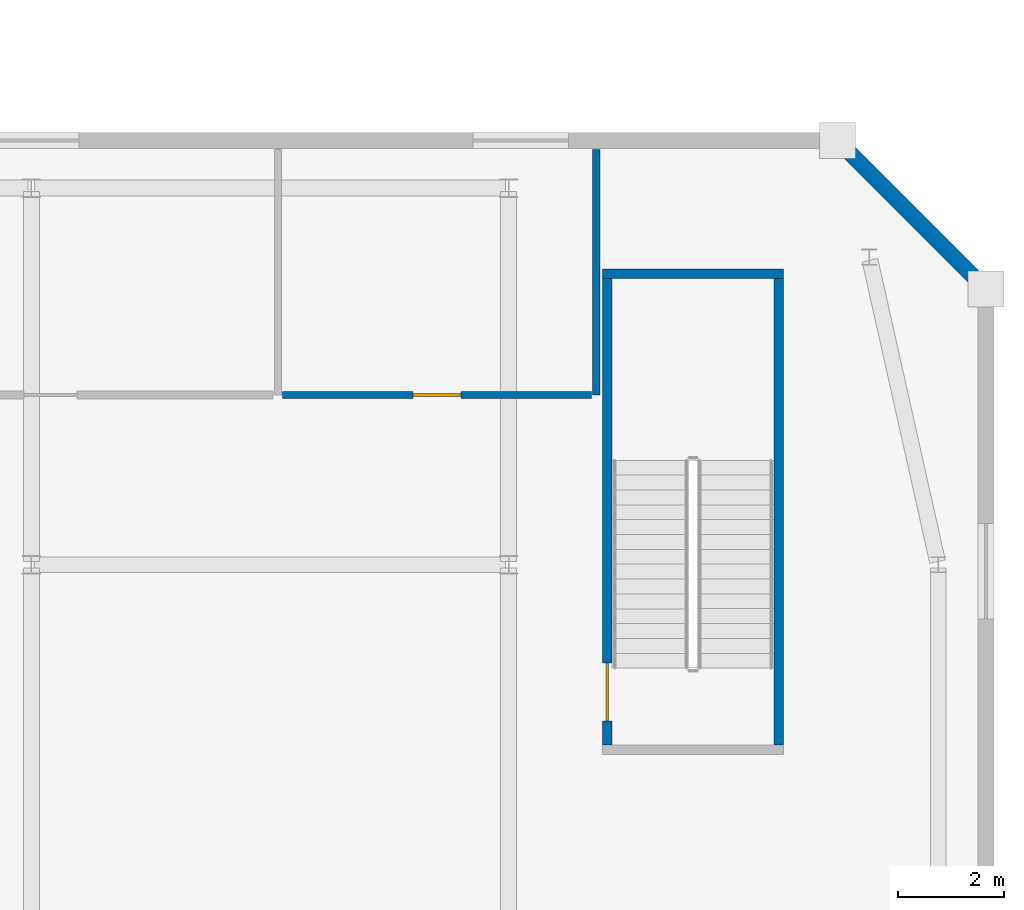
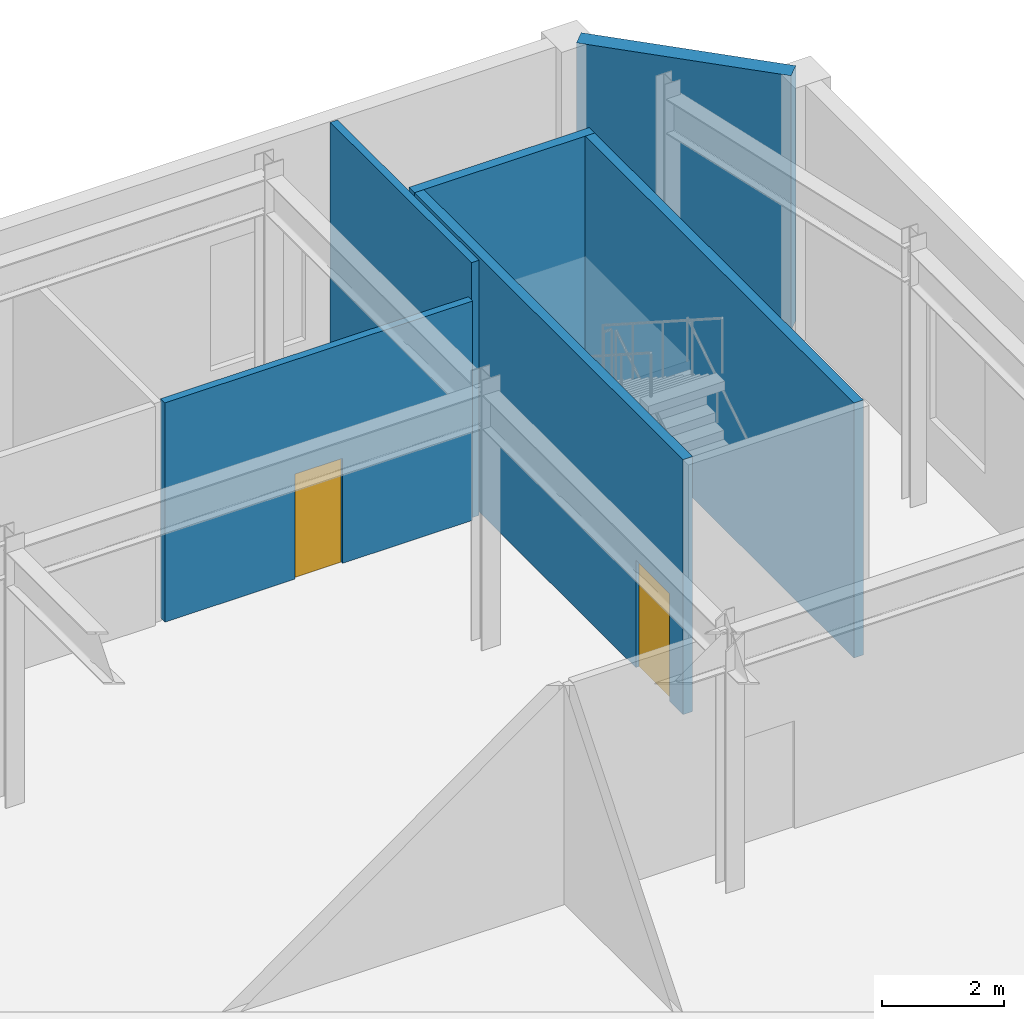
# One storey, part 43 of 52: 6 walls, 2 doors, 2 openings.
"""IFC4 building model written with IfcOpenShell, lengths in metres."""

from ifc_helpers import new_model, si_unit, direction, frame, frame_2d, origin, place, context, subcontext, project, spatial, rectangle, extrude, material, layer, layer_set, type_object, element, fill, save


model = new_model("IFC4")

# Units and contexts
model_context = context("Model", 3, precision=1e-05, world=origin(), true_north=direction((0.0, 1.0)))
body_context = subcontext(model_context, "Body", "Model", "MODEL_VIEW")
ifc_project = project(units=[si_unit("LENGTHUNIT", "METRE"), si_unit("AREAUNIT", "SQUARE_METRE"), si_unit("VOLUMEUNIT", "CUBIC_METRE"), si_unit("PLANEANGLEUNIT", "RADIAN"), si_unit("MASSUNIT", "GRAM", prefix="KILO")], contexts=[model_context])

# Site, building, storey
site_placement = place(None, origin())
site = spatial("IfcSite", under=ifc_project, at=site_placement, CompositionType="ELEMENT")
building_placement = place(site_placement, origin())
building = spatial("IfcBuilding", under=site, at=building_placement, Name="Saevonmaru Cultural Tower", CompositionType="ELEMENT")
storey_placement = place(building_placement, frame((0.0, 0.0, 16.800048828125)))
storey = spatial("IfcBuildingStorey", under=building, at=storey_placement, Name="L03", CompositionType="ELEMENT", Elevation=16.800048828125)

# Walls
ifc_material_1 = material(Name="Warm Limestone Precast Concrete C40/50", Category="masonry")
ifc_layer_1 = layer(ifc_material_1, 0.300048828125, Name="Warm Limestone Precast Concrete C40/50")
ifc_layer_set_1 = layer_set([ifc_layer_1], Name="Warm Limestone Precast Concrete C40/50")
wall_type_1 = type_object("IfcWallType", Name="WL-EXT-LIB-300", PredefinedType="STANDARD", material=ifc_layer_set_1)
wall_1_placement = place(storey_placement, frame((108.0869140625, 45.31298828125, 0.0), z_axis=(0.0, 0.0, 1.0), x_axis=(-0.707073244381, 0.707140316402, 0.0)))
element("IfcWall", 1, at=wall_1_placement, inside=storey, type_object=wall_type_1, Name="L03 Central Library Fluted Stone Wall E5", PredefinedType="STANDARD", context=body_context, shape_type="SweptSolid", body=[
    extrude(rectangle(XDim=3.639892578125, YDim=0.300048828125, at=frame_2d((1.81982421875, 0.0))), origin(), (0.0, 0.0, 1.0), 5.099853515625),
])
ifc_material_2 = material(Name="Gypsum Fireboard Partition", Category="gypsum")
ifc_layer_2 = layer(ifc_material_2, 0.139892578125, Name="Gypsum Fireboard Partition")
ifc_layer_set_2 = layer_set([ifc_layer_2], Name="Gypsum Fireboard Partition")
wall_type_2 = type_object("IfcWallType", Name="WL-PART-WET-140", PredefinedType="PARTITIONING", material=ifc_layer_set_2)
wall_2_placement = place(storey_placement, frame((100.85009765625, 43.199951171875, 0.0), z_axis=(0.0, 0.0, 1.0), x_axis=(0.0, 1.0, 0.0)))
element("IfcWall", 2, at=wall_2_placement, inside=storey, type_object=wall_type_2, Name="L03 Library Washroom East Wall", PredefinedType="PARTITIONING", context=body_context, shape_type="SweptSolid", body=[
    extrude(rectangle(XDim=4.630126953125, YDim=0.139892578125, at=frame_2d((2.31494140625, 0.0))), origin(), (0.0, 0.0, 1.0), 5.099853515625),
])

# Wall, opening, door
wall_3_placement = place(storey_placement, frame((94.93994140625, 43.199951171875, 0.0), z_axis=(0.0, 0.0, 1.0), x_axis=(1.0, 0.0, 0.0)))
wall_3 = element("IfcWall", 3, at=wall_3_placement, inside=storey, type_object=wall_type_2, Name="L03 Library Washroom Wall", PredefinedType="PARTITIONING", context=body_context, shape_type="SweptSolid", body=[
    extrude(rectangle(XDim=5.820068359375, YDim=0.139892578125, at=frame_2d((2.91015625, 0.0))), origin(), (0.0, 0.0, 1.0), 4.385009765625),
])
opening_1_placement = place(wall_3_placement, frame((2.4599609375, 0.0, 0.0)))
opening_1 = element("IfcOpeningElement", 4, at=opening_1_placement, cuts=wall_3, Name="Opening ID-2", PredefinedType="OPENING", context=body_context, shape_type="SweptSolid", body=[
    extrude(rectangle(XDim=0.89990234375, YDim=2.10009765625, at=frame_2d((0.449951171875, 1.050048828125))), frame((0.0, 0.080078125, 0.0), z_axis=(0.0, -1.0, 0.0), x_axis=(1.0, 0.0, 0.0)), (0.0, 0.0, 1.0), 0.159912109375),
])
ifc_material_3 = material(Name="Acoustic Stained Oak Timber", Category="wood")
door_type_1 = type_object("IfcDoorType", Name="DR-INT-900", OperationType="SINGLE_SWING_RIGHT", PredefinedType="DOOR", material=ifc_material_3)
door_1_placement = place(opening_1_placement, origin())
door_1 = element("IfcDoor", 5, at=door_1_placement, inside=storey, type_object=door_type_1, Name="L03 Library Accessible Washroom Door", OperationType="SINGLE_SWING_RIGHT", OverallHeight=2.10009765625, OverallWidth=0.89990234375, PredefinedType="DOOR", context=body_context, shape_type="SweptSolid", body=[
    extrude(rectangle(XDim=0.89990234375, YDim=2.10009765625, at=frame_2d((0.449951171875, 1.050048828125))), frame((0.0, 0.02490234375, 0.0), z_axis=(0.0, -1.0, 0.0), x_axis=(1.0, 0.0, 0.0)), (0.0, 0.0, 1.0), 0.050048828125),
])
fill(opening_1, door_1)

ifc_material_4 = material(Name="Concrete C40/50", Category="concrete")
ifc_layer_3 = layer(ifc_material_4, 0.179931640625, Name="Concrete C40/50")
ifc_layer_set_3 = layer_set([ifc_layer_3], Name="Concrete C40/50")
wall_type_3 = type_object("IfcWallType", Name="WL-STSHAFT-180", PredefinedType="SHEAR", material=ifc_layer_set_3)
wall_4_placement = place(storey_placement, frame((101.06005859375, 45.39990234375, 0.0), z_axis=(0.0, 0.0, 1.0), x_axis=(0.0, -1.0, 0.0)))
wall_4 = element("IfcWall", 6, at=wall_4_placement, inside=storey, type_object=wall_type_3, Name="L03 Stair LST-2 Structural Shaft Wall 1", PredefinedType="SHEAR", context=body_context, shape_type="SweptSolid", body=[
    extrude(rectangle(XDim=8.7998046875, YDim=0.179931640625, at=frame_2d((4.39990234375, 0.0))), origin(), (0.0, 0.0, 1.0), 5.099853515625),
])
opening_2_placement = place(wall_4_placement, frame((7.25, 0.0, 0.0)))
opening_2 = element("IfcOpeningElement", 7, at=opening_2_placement, cuts=wall_4, Name="Opening FD-2", PredefinedType="OPENING", context=body_context, shape_type="SweptSolid", body=[
    extrude(rectangle(XDim=1.10009765625, YDim=2.14990234375, at=frame_2d((0.550048828125, 1.074951171875))), frame((0.0, 0.10009765625, 0.0), z_axis=(0.0, -1.0, 0.0), x_axis=(1.0, 0.0, 0.0)), (0.0, 0.0, 1.0), 0.199951171875),
])
ifc_material_5 = material(Name="Satin Bronze Anodised Aluminium", Category="aluminium")
door_type_2 = type_object("IfcDoorType", Name="DR-FD60-1100", OperationType="SINGLE_SWING_LEFT", PredefinedType="DOOR", material=ifc_material_5)
door_2_placement = place(opening_2_placement, origin())
door_2 = element("IfcDoor", 8, at=door_2_placement, inside=storey, type_object=door_type_2, Name="L03 Protected Stair LST-2 Fire Door", OperationType="SINGLE_SWING_LEFT", OverallHeight=2.14990234375, OverallWidth=1.10009765625, PredefinedType="DOOR", context=body_context, shape_type="SweptSolid", body=[
    extrude(rectangle(XDim=1.10009765625, YDim=2.14990234375, at=frame_2d((0.550048828125, 1.074951171875))), frame((0.0, 0.02490234375, 0.0), z_axis=(0.0, -1.0, 0.0), x_axis=(1.0, 0.0, 0.0)), (0.0, 0.0, 1.0), 0.050048828125),
])
fill(opening_2, door_2)

# Walls
wall_5_placement = place(storey_placement, frame((104.2900390625, 36.60009765625, 0.0), z_axis=(0.0, 0.0, 1.0), x_axis=(0.0, 1.0, 0.0)))
element("IfcWall", 9, at=wall_5_placement, inside=storey, type_object=wall_type_3, Name="L03 Stair LST-2 Structural Shaft Wall 3", PredefinedType="SHEAR", context=body_context, shape_type="SweptSolid", body=[
    extrude(rectangle(XDim=8.7998046875, YDim=0.179931640625, at=frame_2d((4.39990234375, 0.0))), origin(), (0.0, 0.0, 1.0), 5.099853515625),
])
wall_6_placement = place(storey_placement, frame((104.3798828125, 45.489990234375, 0.0), z_axis=(0.0, 0.0, 1.0), x_axis=(-1.0, 0.0, 0.0)))
element("IfcWall", 10, at=wall_6_placement, inside=storey, type_object=wall_type_3, Name="L03 Stair LST-2 Structural Shaft Wall 4", PredefinedType="SHEAR", context=body_context, shape_type="SweptSolid", body=[
    extrude(rectangle(XDim=3.409912109375, YDim=0.179931640625, at=frame_2d((1.705078125, 0.0))), origin(), (0.0, 0.0, 1.0), 5.099853515625),
])

save(model, "model.ifc")
